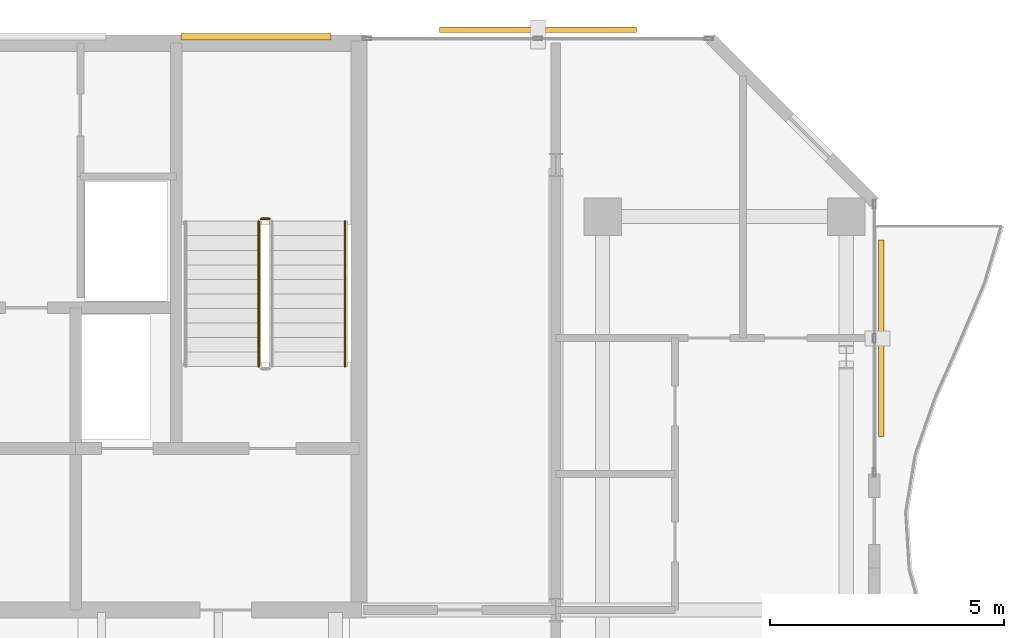
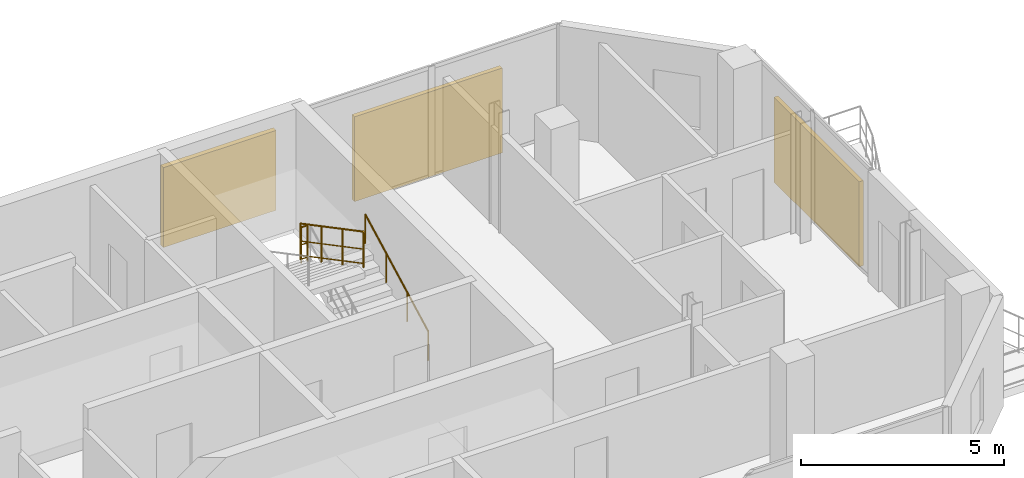
# One storey, part 23 of 23: 3 railings, 3 shading devices.
"""IFC4 building model written with IfcOpenShell, lengths in metres."""

from ifc_helpers import new_model, si_unit, direction, frame, origin, origin_2d, place, context, subcontext, project, spatial, rectangle, circle, extrude, material, type_object, element, save


model = new_model("IFC4")

# Units and contexts
model_context = context("Model", 3, precision=1e-05, world=origin(), true_north=direction((0.0, 1.0)))
body_context = subcontext(model_context, "Body", "Model", "MODEL_VIEW")
ifc_project = project(units=[si_unit("LENGTHUNIT", "METRE"), si_unit("AREAUNIT", "SQUARE_METRE"), si_unit("VOLUMEUNIT", "CUBIC_METRE"), si_unit("PLANEANGLEUNIT", "RADIAN"), si_unit("MASSUNIT", "GRAM", prefix="KILO")], contexts=[model_context])

# Site, building, storey
site_placement = place(None, origin())
site = spatial("IfcSite", under=ifc_project, at=site_placement, CompositionType="ELEMENT")
building_placement = place(site_placement, origin())
building = spatial("IfcBuilding", under=site, at=building_placement, Name="Catumbela Crestline Tower", CompositionType="ELEMENT")
storey_placement = place(building_placement, frame((0.0, 0.0, 165.0)))
storey = spatial("IfcBuildingStorey", under=building, at=storey_placement, Name="L42", CompositionType="ELEMENT", Elevation=165.0)

# Railings
ifc_material_1 = material(Name="Stainless steel EN 1.4401", Category="steel")
railing_type_1 = type_object("IfcRailingType", Name="RG-1100", PredefinedType="GUARDRAIL", material=ifc_material_1)
railing_1_placement = place(storey_placement, frame((38.09, 39.15, 1.8)))
element("IfcRailing", 1, at=railing_1_placement, inside=storey, type_object=railing_type_1, Name="L42 ST-02 stair guard 2", PredefinedType="GUARDRAIL", context=body_context, shape_type="SweptSolid", body=[
    extrude(circle(Radius=0.024, at=origin_2d()), frame((0.0, 0.0, 1.076), z_axis=(-1.0, 0.0, 0.0), x_axis=(0.0, -1.0, 0.0)), (0.0, 0.0, 1.0), 0.18),
    extrude(circle(Radius=0.0156, at=origin_2d()), frame((0.0, 0.0, 0.55), z_axis=(-1.0, 0.0, 0.0), x_axis=(0.0, -1.0, 0.0)), (0.0, 0.0, 1.0), 0.18),
    extrude(circle(Radius=0.0156, at=origin_2d()), frame((0.0, 0.0, 0.12), z_axis=(-1.0, 0.0, 0.0), x_axis=(0.0, -1.0, 0.0)), (0.0, 0.0, 1.0), 0.18),
    extrude(circle(Radius=0.021, at=origin_2d()), origin(), (0.0, 0.0, 1.0), 1.052),
    extrude(circle(Radius=0.021, at=origin_2d()), frame((-0.18, 0.0, 0.0)), (0.0, 0.0, 1.0), 1.052),
])
railing_2_placement = place(storey_placement, frame((37.86, 39.1, 1.9636)))
element("IfcRailing", 2, at=railing_2_placement, inside=storey, type_object=railing_type_1, Name="L42 ST-02 stair guard 3", PredefinedType="GUARDRAIL", context=body_context, shape_type="SweptSolid", body=[
    extrude(circle(Radius=0.024, at=origin_2d()), frame((0.0, 0.0, 1.076), z_axis=(0.0, -0.884350731049, 0.466823076222), x_axis=(1.0, 0.0, 0.0)), (0.0, 0.0, 1.0), 3.5054),
    extrude(circle(Radius=0.0156, at=origin_2d()), frame((0.0, 0.0, 0.55), z_axis=(0.0, -0.884350731049, 0.466823076222), x_axis=(1.0, 0.0, 0.0)), (0.0, 0.0, 1.0), 3.5054),
    extrude(circle(Radius=0.0156, at=origin_2d()), frame((0.0, 0.0, 0.12), z_axis=(0.0, -0.884350731049, 0.466823076222), x_axis=(1.0, 0.0, 0.0)), (0.0, 0.0, 1.0), 3.5054),
    extrude(circle(Radius=0.021, at=origin_2d()), origin(), (0.0, 0.0, 1.0), 1.052),
    extrude(circle(Radius=0.021, at=origin_2d()), frame((0.0, -1.0333, 0.5455)), (0.0, 0.0, 1.0), 1.052),
    extrude(circle(Radius=0.021, at=origin_2d()), frame((0.0, -2.0667, 1.0909)), (0.0, 0.0, 1.0), 1.052),
    extrude(circle(Radius=0.021, at=origin_2d()), frame((0.0, -3.1, 1.6364)), (0.0, 0.0, 1.0), 1.052),
])
railing_type_2 = type_object("IfcRailingType", Name="RH-0900", PredefinedType="HANDRAIL", material=ifc_material_1)
railing_3_placement = place(storey_placement, frame((39.7, 36.0, 0.1636)))
element("IfcRailing", 3, at=railing_3_placement, inside=storey, type_object=railing_type_2, Name="L42 ST-02 stair handrail 1", PredefinedType="HANDRAIL", context=body_context, shape_type="SweptSolid", body=[
    extrude(circle(Radius=0.024, at=origin_2d()), frame((0.0, 0.0, 0.876), z_axis=(0.0, 0.884350731049, 0.466823076222), x_axis=(-1.0, 0.0, 0.0)), (0.0, 0.0, 1.0), 3.5054),
    extrude(circle(Radius=0.021, at=origin_2d()), origin(), (0.0, 0.0, 1.0), 0.852),
    extrude(circle(Radius=0.021, at=origin_2d()), frame((0.0, 1.0333, 0.5455)), (0.0, 0.0, 1.0), 0.852),
    extrude(circle(Radius=0.021, at=origin_2d()), frame((0.0, 2.0667, 1.0909)), (0.0, 0.0, 1.0), 0.852),
    extrude(circle(Radius=0.021, at=origin_2d()), frame((0.0, 3.1, 1.6364)), (0.0, 0.0, 1.0), 0.852),
])

# Shading devices
ifc_material_2 = material(Name="Extruded terracotta ceramic", Category="masonry")
shading_device_type_1 = type_object("IfcShadingDeviceType", Name="ST-260", PredefinedType="USERDEFINED", material=ifc_material_2)
shading_device_1_placement = place(storey_placement, frame((51.143, 36.6, -0.1), z_axis=(0.0, 0.0, 1.0), x_axis=(0.0, 1.0, 0.0)))
element("IfcShadingDevice", 4, at=shading_device_1_placement, inside=storey, type_object=shading_device_type_1, Name="L42 Perforated Terracotta Solar Screen 470 (260 mm)", ObjectType="SCREEN", PredefinedType="USERDEFINED", context=body_context, shape_type="SweptSolid", body=[
    extrude(rectangle(XDim=4.2, YDim=0.12, at=origin_2d()), origin(), (0.0, 0.0, 1.0), 2.55),
])
shading_device_type_2 = type_object("IfcShadingDeviceType", Name="ST-340", PredefinedType="USERDEFINED", material=ifc_material_2)
shading_device_2_placement = place(storey_placement, frame((37.8, 43.04, 0.55), z_axis=(0.0, 0.0, 1.0), x_axis=(1.0, 0.0, 0.0)))
element("IfcShadingDevice", 5, at=shading_device_2_placement, inside=storey, type_object=shading_device_type_2, Name="L42 Rear Core Terracotta Brise-Soleil Screen 463", ObjectType="SCREEN", PredefinedType="USERDEFINED", context=body_context, shape_type="SweptSolid", body=[
    extrude(rectangle(XDim=3.2, YDim=0.14, at=origin_2d()), origin(), (0.0, 0.0, 1.0), 2.4),
])
shading_device_3_placement = place(storey_placement, frame((43.82, 43.187, -0.1), z_axis=(0.0, 0.0, 1.0), x_axis=(-1.0, 0.0, 0.0)))
element("IfcShadingDevice", 6, at=shading_device_3_placement, inside=storey, type_object=shading_device_type_2, Name="L42 Perforated Terracotta Solar Screen 471 (340 mm)", ObjectType="SCREEN", PredefinedType="USERDEFINED", context=body_context, shape_type="SweptSolid", body=[
    extrude(rectangle(XDim=4.2, YDim=0.12, at=origin_2d()), origin(), (0.0, 0.0, 1.0), 2.55),
])

save(model, "model.ifc")
